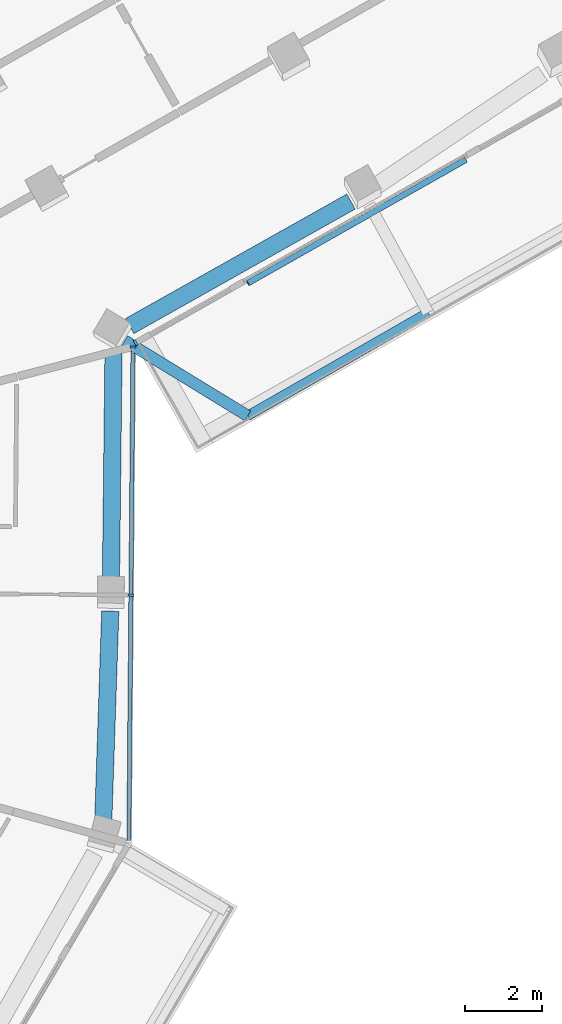
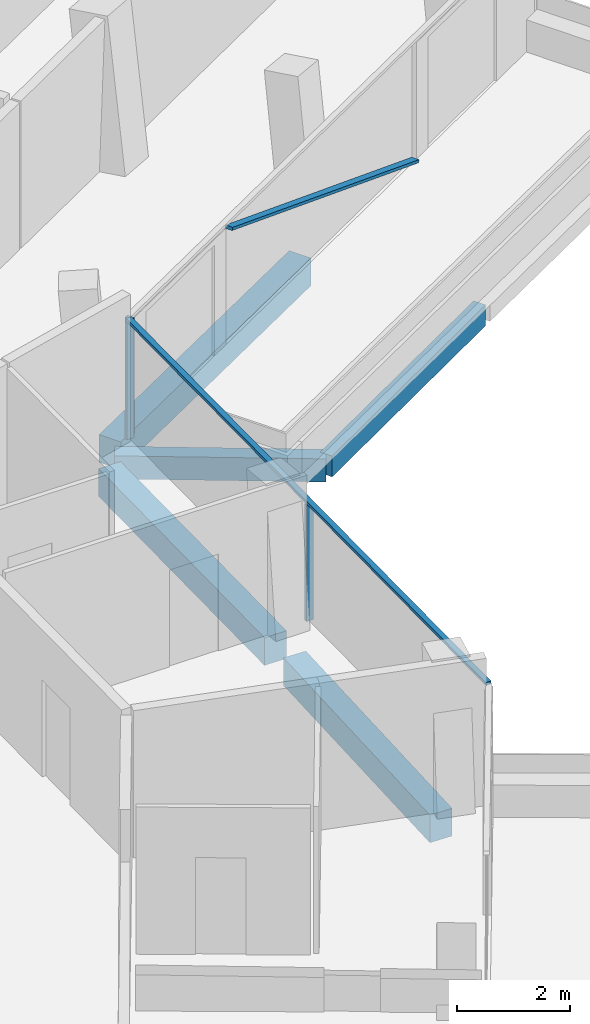
# One storey, part 8 of 24: 5 beams, 5 members, 2 elements without a shape of their own.
"""IFC4 building model written with IfcOpenShell, lengths in metres."""

from ifc_helpers import new_model, si_unit, direction, frame, origin, origin_2d, place, context, subcontext, project, spatial, rectangle, extrude, material, layer, layer_set, material_profile, profile_set, type_object, element, aggregate, save


model = new_model("IFC4")

# Units and contexts
model_context = context("Model", 3, precision=1e-05, world=origin(), true_north=direction((0.0, 1.0)))
body_context = subcontext(model_context, "Body", "Model", "MODEL_VIEW")
ifc_project = project(units=[si_unit("LENGTHUNIT", "METRE"), si_unit("AREAUNIT", "SQUARE_METRE"), si_unit("VOLUMEUNIT", "CUBIC_METRE"), si_unit("PLANEANGLEUNIT", "RADIAN"), si_unit("MASSUNIT", "GRAM", prefix="KILO")], contexts=[model_context])

# Site, building, storey
site_placement = place(None, origin())
site = spatial("IfcSite", under=ifc_project, at=site_placement, CompositionType="ELEMENT")
building_placement = place(site_placement, origin())
building = spatial("IfcBuilding", under=site, at=building_placement, Name="Verdalira Terraces Hotel", CompositionType="ELEMENT")
storey_placement = place(building_placement, frame((0.0, 0.0, 277.5)))
storey = spatial("IfcBuildingStorey", under=building, at=storey_placement, Name="L68", CompositionType="ELEMENT", Elevation=277.5)

# Beams
ifc_material_1 = material(Name="Concrete C40", Category="concrete")
ifc_material_profile_1 = material_profile(ifc_material_1, rectangle(XDim=0.300049, YDim=0.5, at=origin_2d()), Name="RC 300X500")
ifc_profile_set_1 = profile_set([ifc_material_profile_1], Name="Concrete C40")
beam_type_1 = type_object("IfcBeamType", Name="Balcony cantilever beam RC 300X500 C40", PredefinedType="BEAM", material=ifc_profile_set_1)
beam_1_placement = place(storey_placement, frame((24.022949, 6.430176, -0.560059), z_axis=(0.853178987, -0.521618267, 0.0), x_axis=(0.521618267, 0.853178987, 0.0)))
element("IfcBeam", 1, at=beam_1_placement, inside=storey, type_object=beam_type_1, Name="Balcony cantilever beam R28-1", PredefinedType="BEAM", context=body_context, shape_type="SweptSolid", body=[
    extrude(rectangle(XDim=0.300049, YDim=0.5, at=origin_2d()), origin(), (0.0, 0.0, 1.0), 3.756104),
])
ifc_material_2 = material(Name="Concrete C40", Category="concrete")
ifc_material_profile_2 = material_profile(ifc_material_2, rectangle(XDim=0.25, YDim=0.449951, at=origin_2d()), Name="RC 250X450")
ifc_profile_set_2 = profile_set([ifc_material_profile_2], Name="Concrete C40")
beam_type_2 = type_object("IfcBeamType", Name="Balcony edge beam RC 250X450 C40", PredefinedType="BEAM", material=ifc_profile_set_2)
beam_2_placement = place(storey_placement, frame((27.227539, 4.470947, -0.534912), z_axis=(0.867888102, 0.496759744, 0.0), x_axis=(-0.496759744, 0.867888102, 0.0)))
element("IfcBeam", 2, at=beam_2_placement, inside=storey, type_object=beam_type_2, Name="Balcony edge beam R28-1", PredefinedType="BEAM", context=body_context, shape_type="SweptSolid", body=[
    extrude(rectangle(XDim=0.25, YDim=0.449951, at=origin_2d()), origin(), (0.0, 0.0, 1.0), 5.419922),
])

# Curtain wall, members
ifc_material_3 = material(Name="Clear glass", Category="glass")
ifc_layer_1 = layer(ifc_material_3, 0.14990234375)
ifc_layer_set_1 = layer_set([ifc_layer_1], Name="CW1 curtain wall")
curtain_wall_type_1 = type_object("IfcCurtainWallType", Name="CW1 curtain wall", PredefinedType="NOTDEFINED", material=ifc_layer_set_1)
curtain_wall_1_placement = place(storey_placement, origin())
curtain_wall_1 = element("IfcCurtainWall", 3, at=curtain_wall_1_placement, inside=storey, type_object=curtain_wall_type_1, Name="CW1 curtain wall L68 edge 27", PredefinedType="NOTDEFINED")
ifc_material_4 = material(Name="Terracotta frame", Category="masonry")
ifc_material_profile_3 = material_profile(ifc_material_4, rectangle(XDim=0.060059, YDim=0.149902, at=origin_2d()), Name="MU 60x150")
ifc_profile_set_3 = profile_set([ifc_material_profile_3], Name="Terracotta frame")
member_type_1 = type_object("IfcMemberType", Name="CW1 mullion 60x150", PredefinedType="MULLION", material=ifc_profile_set_3)
member_1_placement = place(storey_placement, frame((24.182373, -0.202637, 0.0), z_axis=(0.0, 0.0, 1.0), x_axis=(0.008377482, 0.999964908, 0.0)))
member_1 = element("IfcMember", 4, at=member_1_placement, type_object=member_type_1, Name="CW1 mullion", PredefinedType="MULLION", context=body_context, shape_type="SweptSolid", body=[
    extrude(rectangle(XDim=0.060059, YDim=0.149902, at=origin_2d()), origin(), (0.0, 0.0, 1.0), 2.524902),
])
member_2_placement = place(storey_placement, frame((24.236572, 6.26709, 0.0), z_axis=(0.0, 0.0, 1.0), x_axis=(0.008377482, 0.999964908, 0.0)))
member_2 = element("IfcMember", 5, at=member_2_placement, type_object=member_type_1, Name="CW1 mullion", PredefinedType="MULLION", context=body_context, shape_type="SweptSolid", body=[
    extrude(rectangle(XDim=0.060059, YDim=0.149902, at=origin_2d()), origin(), (0.0, 0.0, 1.0), 2.524902),
])
ifc_material_5 = material(Name="Terracotta frame", Category="masonry")
ifc_material_profile_4 = material_profile(ifc_material_5, rectangle(XDim=0.110107, YDim=0.064941, at=origin_2d()), Name="TR 65x110")
ifc_profile_set_4 = profile_set([ifc_material_profile_4], Name="Terracotta frame")
member_type_2 = type_object("IfcMemberType", Name="CW1 transom 65x110", PredefinedType="USERDEFINED", material=ifc_profile_set_4)
member_3_placement = place(storey_placement, frame((24.128418, -6.662109, 2.557617), z_axis=(0.008364282, 0.999965019, 0.0), x_axis=(-0.999965019, 0.008364282, 0.0)))
member_3 = element("IfcMember", 6, at=member_3_placement, type_object=member_type_2, Name="CW1 transom", ObjectType="TRANSOM", PredefinedType="USERDEFINED", context=body_context, shape_type="SweptSolid", body=[
    extrude(rectangle(XDim=0.110107, YDim=0.064941, at=origin_2d()), origin(), (0.0, 0.0, 1.0), 12.959717),
])
aggregate(curtain_wall_1, [member_1, member_2, member_3])

ifc_material_6 = material(Name="Clear glass", Category="glass")
ifc_layer_2 = layer(ifc_material_6, 0.14990234375)
ifc_layer_set_2 = layer_set([ifc_layer_2], Name="CW2 curtain wall")
curtain_wall_type_2 = type_object("IfcCurtainWallType", Name="CW2 curtain wall", PredefinedType="NOTDEFINED", material=ifc_layer_set_2)
curtain_wall_2_placement = place(storey_placement, origin())
curtain_wall_2 = element("IfcCurtainWall", 7, at=curtain_wall_2_placement, inside=storey, type_object=curtain_wall_type_2, Name="CW2 curtain wall L68 edge 28", PredefinedType="NOTDEFINED")
ifc_material_7 = material(Name="Terracotta frame", Category="masonry")
ifc_material_profile_5 = material_profile(ifc_material_7, rectangle(XDim=0.070068, YDim=0.149902, at=origin_2d()), Name="MU 70x150")
ifc_profile_set_5 = profile_set([ifc_material_profile_5], Name="Terracotta frame")
member_type_3 = type_object("IfcMemberType", Name="CW2 mullion 70x150", PredefinedType="MULLION", material=ifc_profile_set_5)
member_4_placement = place(storey_placement, frame((24.30542, 6.37915, 0.0), z_axis=(0.0, 0.0, 1.0), x_axis=(0.870183755, 0.492727342, 0.0)))
member_4 = element("IfcMember", 8, at=member_4_placement, type_object=member_type_3, Name="CW2 mullion", PredefinedType="MULLION", context=body_context, shape_type="SweptSolid", body=[
    extrude(rectangle(XDim=0.070068, YDim=0.149902, at=origin_2d()), origin(), (0.0, 0.0, 1.0), 2.524902),
])
ifc_material_8 = material(Name="Terracotta frame", Category="masonry")
ifc_material_profile_6 = material_profile(ifc_material_8, rectangle(XDim=0.149902, YDim=0.060059, at=origin_2d()), Name="GB 60x150")
ifc_profile_set_6 = profile_set([ifc_material_profile_6], Name="Terracotta frame")
member_type_4 = type_object("IfcMemberType", Name="Diagonal glazing bar 60x150", PredefinedType="USERDEFINED", material=ifc_profile_set_6)
member_5_placement = place(storey_placement, frame((27.231445, 7.931396, 2.496338), z_axis=(0.813949743, 0.460864924, -0.35367971), x_axis=(-0.492710481, 0.870193302, 0.0)))
member_5 = element("IfcMember", 9, at=member_5_placement, type_object=member_type_4, Name="Diagonal glazing bar", ObjectType="GLAZING BAR", PredefinedType="USERDEFINED", context=body_context, shape_type="SweptSolid", body=[
    extrude(rectangle(XDim=0.149902, YDim=0.060059, at=origin_2d()), origin(), (0.0, 0.0, 1.0), 6.976807),
])
aggregate(curtain_wall_2, [member_4, member_5])

# Beams
ifc_material_9 = material(Name="Concrete C40", Category="concrete")
ifc_material_profile_7 = material_profile(ifc_material_9, rectangle(XDim=0.449951, YDim=0.600098, at=origin_2d()), Name="RC 450X600")
ifc_profile_set_7 = profile_set([ifc_material_profile_7], Name="Concrete C40")
beam_type_3 = type_object("IfcBeamType", Name="Spandrel beam RC 450X600 C40", PredefinedType="SPANDREL", material=ifc_profile_set_7)
beam_3_placement = place(storey_placement, frame((23.459473, -6.140381, -0.610107), z_axis=(0.033504685, 0.99943856, 0.0), x_axis=(-0.99943856, 0.033504685, 0.0)))
element("IfcBeam", 10, at=beam_3_placement, inside=storey, type_object=beam_type_3, Name="Spandrel beam B17", PredefinedType="SPANDREL", context=body_context, shape_type="SweptSolid", body=[
    extrude(rectangle(XDim=0.449951, YDim=0.600098, at=origin_2d()), origin(), (0.0, 0.0, 1.0), 5.523438),
])
beam_4_placement = place(storey_placement, frame((23.6604, 0.087402, -0.610107), z_axis=(0.011289538, 0.999936271, 0.0), x_axis=(-0.999936271, 0.011289538, 0.0)))
element("IfcBeam", 11, at=beam_4_placement, inside=storey, type_object=beam_type_3, Name="Spandrel beam B18", PredefinedType="SPANDREL", context=body_context, shape_type="SweptSolid", body=[
    extrude(rectangle(XDim=0.449951, YDim=0.600098, at=origin_2d()), origin(), (0.0, 0.0, 1.0), 6.011963),
])
beam_5_placement = place(storey_placement, frame((24.148682, 6.812012, -0.610107), z_axis=(0.871591286, 0.490233241, 0.0), x_axis=(-0.490233241, 0.871591286, 0.0)))
element("IfcBeam", 12, at=beam_5_placement, inside=storey, type_object=beam_type_3, Name="Spandrel beam B19", PredefinedType="SPANDREL", context=body_context, shape_type="SweptSolid", body=[
    extrude(rectangle(XDim=0.449951, YDim=0.600098, at=origin_2d()), origin(), (0.0, 0.0, 1.0), 6.624023),
])

save(model, "model.ifc")
